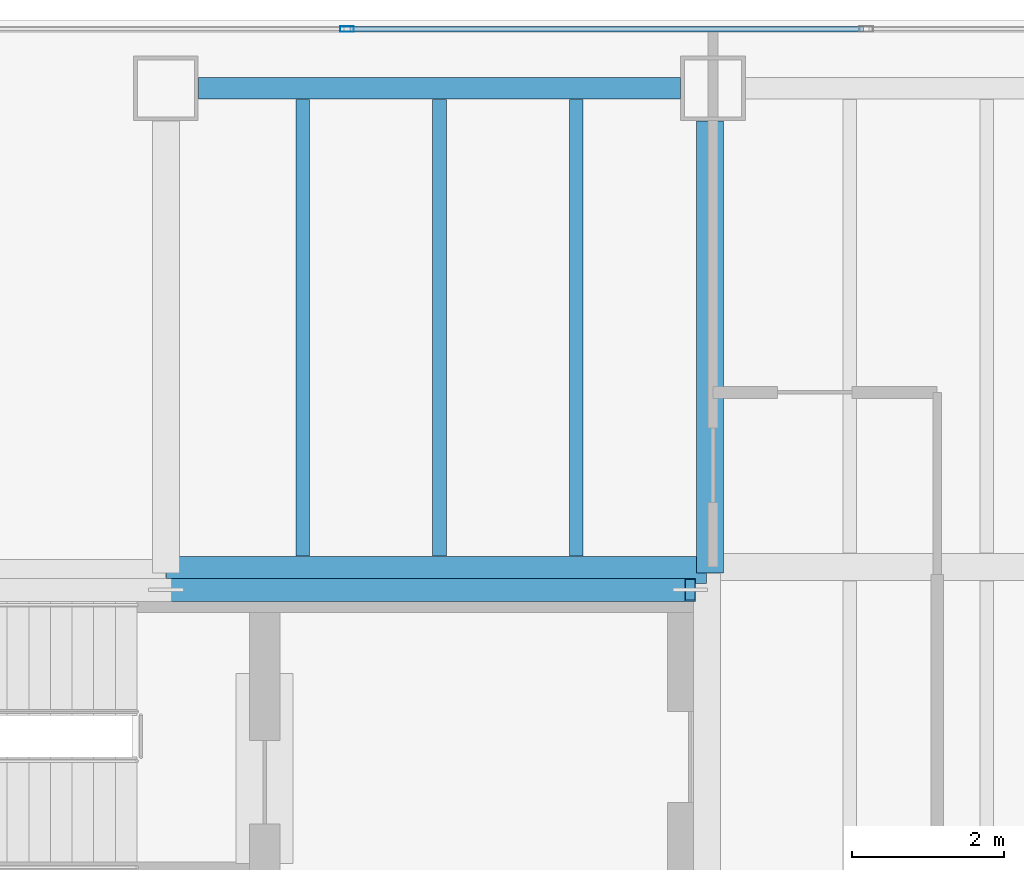
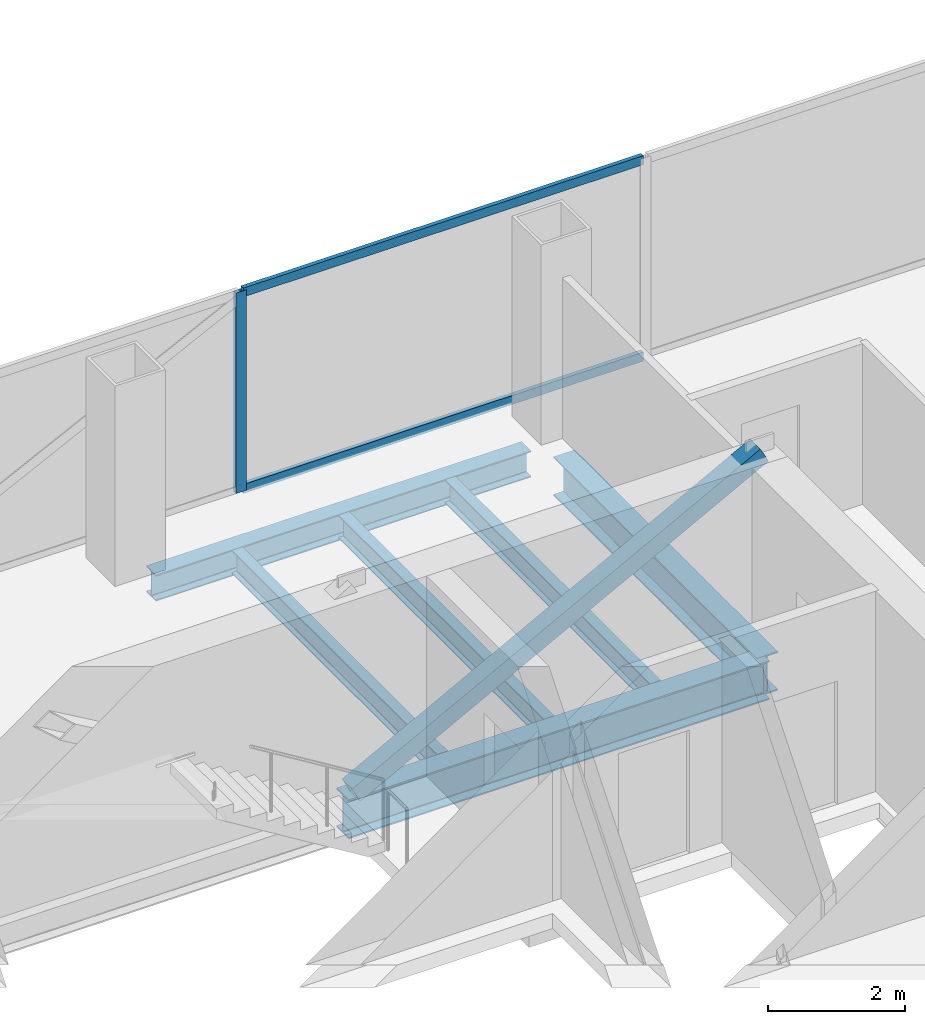
# One storey, part 17 of 23: 6 beams, 4 members, 1 element without a shape of its own.
"""IFC4 building model written with IfcOpenShell, lengths in metres."""

from ifc_helpers import new_model, si_unit, direction, frame, origin, origin_2d, place, context, subcontext, project, spatial, hollow_rectangle, i_section, extrude, material, material_profile, profile_set, type_object, element, aggregate, save


model = new_model("IFC4")

# Units and contexts
model_context = context("Model", 3, precision=1e-05, world=origin(), true_north=direction((0.0, 1.0)))
body_context = subcontext(model_context, "Body", "Model", "MODEL_VIEW")
ifc_project = project(units=[si_unit("LENGTHUNIT", "METRE"), si_unit("AREAUNIT", "SQUARE_METRE"), si_unit("VOLUMEUNIT", "CUBIC_METRE"), si_unit("PLANEANGLEUNIT", "RADIAN"), si_unit("MASSUNIT", "GRAM", prefix="KILO")], contexts=[model_context])

# Site, building, storey
site_placement = place(None, origin())
site = spatial("IfcSite", under=ifc_project, at=site_placement, CompositionType="ELEMENT")
building_placement = place(site_placement, origin())
building = spatial("IfcBuilding", under=site, at=building_placement, Name="Cobrela Telecom Tower", CompositionType="ELEMENT")
storey_placement = place(building_placement, frame((0.0, 0.0, 159.949951171875)))
storey = spatial("IfcBuildingStorey", under=building, at=storey_placement, Name="L40", CompositionType="ELEMENT", Elevation=159.949951171875)

# Beams
ifc_material_1 = material(Name="Steel ASTM A992 Grade 50", Category="steel")
ifc_material_profile_1 = material_profile(ifc_material_1, i_section(OverallWidth=0.35595703125, OverallDepth=0.696044921875, WebThickness=0.015380859375, FlangeThickness=0.024658203125, FilletRadius=0.01806640625, at=origin_2d()), Name="W27X146")
ifc_profile_set_1 = profile_set([ifc_material_profile_1], Name="Steel ASTM A992 Grade 50")
beam_type_1 = type_object("IfcBeamType", Name="BM-GIRD-05", PredefinedType="USERDEFINED", material=ifc_profile_set_1)
beam_1_placement = place(storey_placement, frame((7.205078125, 35.9599609375, -0.617919921875), z_axis=(1.0, 0.0, 0.0), x_axis=(0.0, 1.0, 0.0)))
element("IfcBeam", 1, at=beam_1_placement, inside=storey, type_object=beam_type_1, Name="L40 Primary Girder X22", ObjectType="GIRDER", PredefinedType="USERDEFINED", context=body_context, shape_type="SweptSolid", body=[
    extrude(i_section(OverallWidth=0.35595703125, OverallDepth=0.696044921875, WebThickness=0.015380859375, FlangeThickness=0.024658203125, FilletRadius=0.01806640625, at=origin_2d()), origin(), (0.0, 0.0, 1.0), 7.10986328125),
])
beam_2_placement = place(storey_placement, frame((14.360107421875, 35.925048828125, -0.617919921875), z_axis=(0.0, 1.0, 0.0), x_axis=(-1.0, 0.0, 0.0)))
element("IfcBeam", 2, at=beam_2_placement, inside=storey, type_object=beam_type_1, Name="L40 Primary Girder Y34", ObjectType="GIRDER", PredefinedType="USERDEFINED", context=body_context, shape_type="SweptSolid", body=[
    extrude(i_section(OverallWidth=0.35595703125, OverallDepth=0.696044921875, WebThickness=0.015380859375, FlangeThickness=0.024658203125, FilletRadius=0.01806640625, at=origin_2d()), origin(), (0.0, 0.0, 1.0), 5.945068359375),
])
ifc_material_profile_2 = material_profile(ifc_material_1, i_section(OverallWidth=0.179931640625, OverallDepth=0.4169921875, WebThickness=0.010986328125, FlangeThickness=0.01806640625, FilletRadius=0.011962890625, at=origin_2d()), Name="W16X57")
ifc_profile_set_2 = profile_set([ifc_material_profile_2], Name="Steel ASTM A992 Grade 50")
beam_type_2 = type_object("IfcBeamType", Name="BM-JOIST-04", PredefinedType="JOIST", material=ifc_profile_set_2)
for number, where, z_axis, x_axis, name in (
    (3, (9.0, 36.14306640625, -0.478515625), (0.0, 1.0, 0.0), (-1.0, 0.0, 0.0), "L40 Secondary Composite Floor Beam J01"),
    (4, (10.800048828125, 36.14306640625, -0.478515625), (0.0, 1.0, 0.0), (-1.0, 0.0, 0.0), "L40 Secondary Composite Floor Beam J02"),
    (5, (12.60009765625, 36.14306640625, -0.478515625), (0.0, 1.0, 0.0), (-1.0, 0.0, 0.0), "L40 Secondary Composite Floor Beam J03"),
):
    element("IfcBeam", number, at=place(storey_placement, frame(where, z_axis=z_axis, x_axis=x_axis)), inside=storey, type_object=beam_type_2, Name=name, PredefinedType="JOIST", context=body_context, shape_type="SweptSolid", body=[
        extrude(i_section(OverallWidth=0.179931640625, OverallDepth=0.4169921875, WebThickness=0.010986328125, FlangeThickness=0.01806640625, FilletRadius=0.011962890625, at=origin_2d()), origin(), (0.0, 0.0, 1.0), 6.010986328125),
    ])
ifc_material_profile_3 = material_profile(ifc_material_1, i_section(OverallWidth=0.281982421875, OverallDepth=0.467041015625, WebThickness=0.01220703125, FlangeThickness=0.01953125, FilletRadius=0.012939453125, at=origin_2d()), Name="W18X86")
ifc_profile_set_3 = profile_set([ifc_material_profile_3], Name="Steel ASTM A992 Grade 50")
beam_type_3 = type_object("IfcBeamType", Name="BM-SPAND-04", PredefinedType="SPANDREL", material=ifc_profile_set_3)
beam_3_placement = place(storey_placement, frame((7.6298828125, 42.300048828125, -0.50341796875), z_axis=(1.0, 0.0, 0.0), x_axis=(0.0, 1.0, 0.0)))
element("IfcBeam", 6, at=beam_3_placement, inside=storey, type_object=beam_type_3, Name="L40 Perimeter Spandrel X25", PredefinedType="SPANDREL", context=body_context, shape_type="SweptSolid", body=[
    extrude(i_section(OverallWidth=0.281982421875, OverallDepth=0.467041015625, WebThickness=0.01220703125, FlangeThickness=0.01953125, FilletRadius=0.012939453125, at=origin_2d()), origin(), (0.0, 0.0, 1.0), 6.340087890625),
])

# Curtain wall, members
ifc_material_2 = material(Name="Anodized Bronze Aluminium 6063-T6", Category="aluminium")
curtain_wall_type = type_object("IfcCurtainWallType", Name="CW-SYS-TEL", PredefinedType="USERDEFINED", material=ifc_material_2)
curtain_wall_placement = place(storey_placement, origin())
curtain_wall = element("IfcCurtainWall", 7, at=curtain_wall_placement, inside=storey, type_object=curtain_wall_type, Name="L40 Unitised Bronze Curtain Wall 07", ObjectType="UNITISED CURTAIN WALL", PredefinedType="USERDEFINED")
ifc_material_profile_4 = material_profile(ifc_material_2, hollow_rectangle(XDim=0.074951171875, YDim=0.179931640625, WallThickness=0.00390625, at=origin_2d()), Name="ALU 75x180x4")
ifc_profile_set_4 = profile_set([ifc_material_profile_4], Name="Anodized Bronze Aluminium 6063-T6")
member_type_1 = type_object("IfcMemberType", Name="CW-SYS-TEL-MUL", PredefinedType="MULLION", material=ifc_profile_set_4)
member_1_placement = place(storey_placement, frame((9.583251953125, 43.080078125, 0.0), z_axis=(0.0, 0.0, 1.0), x_axis=(0.0, 1.0, 0.0)))
member_1 = element("IfcMember", 8, at=member_1_placement, type_object=member_type_1, Name="CW-TEL mullion 2", PredefinedType="MULLION", context=body_context, shape_type="SweptSolid", body=[
    extrude(hollow_rectangle(XDim=0.074951171875, YDim=0.179931640625, WallThickness=0.00390625, at=origin_2d()), origin(), (0.0, 0.0, 1.0), 3.580078125),
])
ifc_material_profile_5 = material_profile(ifc_material_2, hollow_rectangle(XDim=0.070068359375, YDim=0.159912109375, WallThickness=0.00390625, at=origin_2d()), Name="ALU 70x160x4")
ifc_profile_set_5 = profile_set([ifc_material_profile_5], Name="Anodized Bronze Aluminium 6063-T6")
member_type_2 = type_object("IfcMemberType", Name="CW-SYS-TEL-TRN", PredefinedType="USERDEFINED", material=ifc_profile_set_5)
member_2_placement = place(storey_placement, frame((9.620849609375, 43.080078125, 0.03515625), z_axis=(1.0, 0.0, 0.0), x_axis=(0.0, 1.0, 0.0)))
member_2 = element("IfcMember", 9, at=member_2_placement, type_object=member_type_2, Name="CW-TEL transom 2.1", ObjectType="TRANSOM", PredefinedType="USERDEFINED", context=body_context, shape_type="SweptSolid", body=[
    extrude(hollow_rectangle(XDim=0.070068359375, YDim=0.159912109375, WallThickness=0.00390625, at=origin_2d()), origin(), (0.0, 0.0, 1.0), 6.75830078125),
])
member_3_placement = place(storey_placement, frame((9.620849609375, 43.080078125, 3.545166015625), z_axis=(1.0, 0.0, 0.0), x_axis=(0.0, 1.0, 0.0)))
member_3 = element("IfcMember", 10, at=member_3_placement, type_object=member_type_2, Name="CW-TEL transom 2.2", ObjectType="TRANSOM", PredefinedType="USERDEFINED", context=body_context, shape_type="SweptSolid", body=[
    extrude(hollow_rectangle(XDim=0.070068359375, YDim=0.159912109375, WallThickness=0.00390625, at=origin_2d()), origin(), (0.0, 0.0, 1.0), 6.75830078125),
])
aggregate(curtain_wall, [member_1, member_2, member_3])

# Member
ifc_material_3 = material(Name="Steel ASTM A572 Grade 50", Category="steel")
ifc_material_profile_6 = material_profile(ifc_material_3, hollow_rectangle(XDim=0.300048828125, YDim=0.300048828125, WallThickness=0.01611328125, at=origin_2d()), Name="HSS 300x300x16")
ifc_profile_set_6 = profile_set([ifc_material_profile_6], Name="Steel ASTM A572 Grade 50")
member_type_3 = type_object("IfcMemberType", Name="MBR-EXO-03", PredefinedType="BRACE", material=ifc_profile_set_6)
member_4_placement = place(storey_placement, frame((7.199951171875, 35.699951171875, -0.0400390625), z_axis=(0.883409759267, 0.0, 0.468601320134), x_axis=(0.0, 1.0, 0.0)))
element("IfcMember", 11, at=member_4_placement, inside=storey, type_object=member_type_3, Name="L40 Core Flange Steel Brace N2", PredefinedType="BRACE", context=body_context, shape_type="SweptSolid", body=[
    extrude(hollow_rectangle(XDim=0.300048828125, YDim=0.300048828125, WallThickness=0.01611328125, at=origin_2d()), origin(), (0.0, 0.0, 1.0), 7.810791015625),
])

save(model, "model.ifc")
